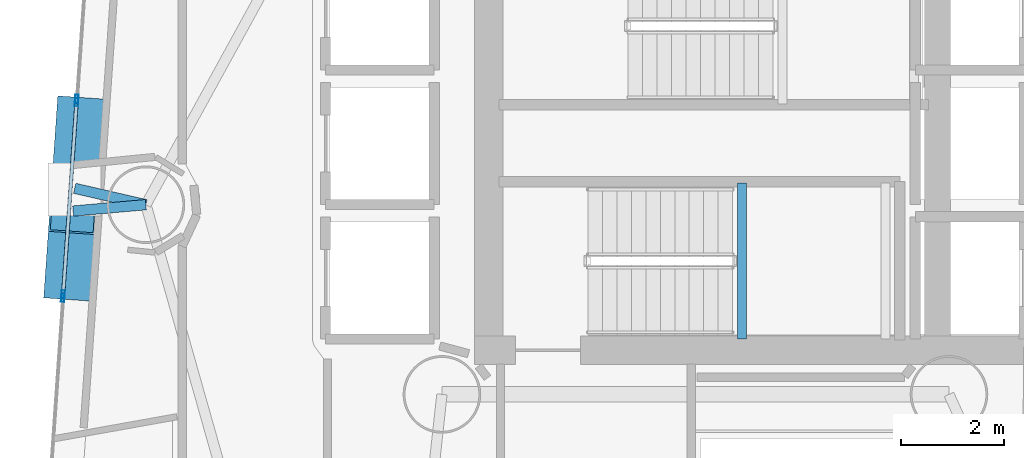
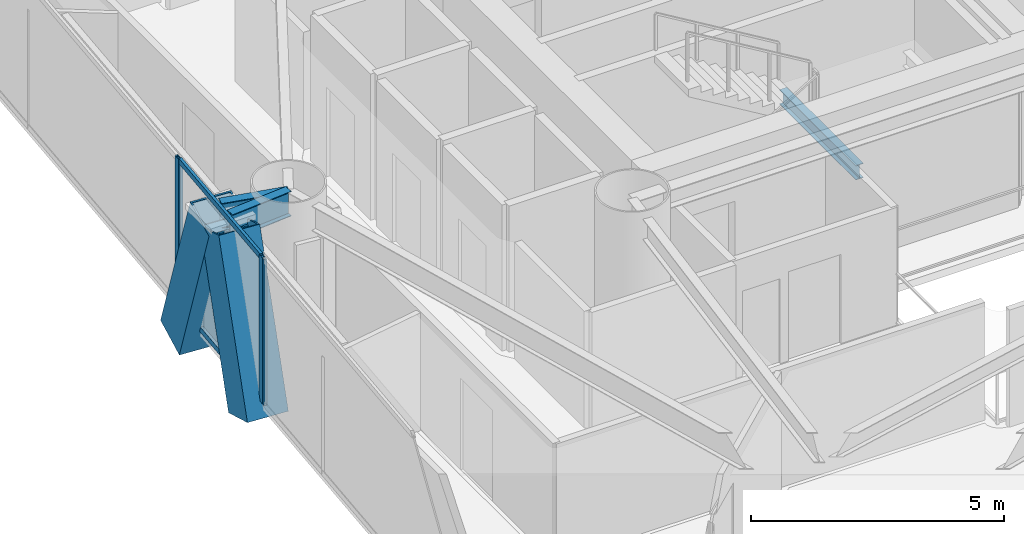
# One storey, part 7 of 21: 8 members, 3 beams, 3 elements without a shape of their own.
"""IFC4 building model written with IfcOpenShell, lengths in metres."""

from ifc_helpers import new_model, si_unit, direction, frame, origin, origin_2d, place, context, subcontext, project, spatial, hollow_rectangle, i_section, extrude, material, layer, layer_set, material_profile, profile_set, type_object, element, aggregate, save


model = new_model("IFC4")

# Units and contexts
model_context = context("Model", 3, precision=1e-05, world=origin(), true_north=direction((0.0, 1.0)))
body_context = subcontext(model_context, "Body", "Model", "MODEL_VIEW")
ifc_project = project(units=[si_unit("LENGTHUNIT", "METRE"), si_unit("AREAUNIT", "SQUARE_METRE"), si_unit("VOLUMEUNIT", "CUBIC_METRE"), si_unit("PLANEANGLEUNIT", "RADIAN"), si_unit("MASSUNIT", "GRAM", prefix="KILO")], contexts=[model_context])

# Site, building, storey
site_placement = place(None, origin())
site = spatial("IfcSite", under=ifc_project, at=site_placement, CompositionType="ELEMENT")
building_placement = place(site_placement, origin())
building = spatial("IfcBuilding", under=site, at=building_placement, Name="Qianvela Tower", CompositionType="ELEMENT")
storey_placement = place(building_placement, frame((0.0, 0.0, 127.39990234375)))
storey = spatial("IfcBuildingStorey", under=building, at=storey_placement, Name="L32", CompositionType="ELEMENT", Elevation=127.39990234375)

# Beams
ifc_material_1 = material(Name="Steel Q355B", Category="steel")
ifc_material_profile_1 = material_profile(ifc_material_1, i_section(OverallWidth=0.175048828125, OverallDepth=0.35009765625, WebThickness=0.007080078125, FlangeThickness=0.010986328125, at=origin_2d()), Name="HN350x175x7x11")
ifc_profile_set_1 = profile_set([ifc_material_profile_1], Name="Steel Q355B")
beam_type_1 = type_object("IfcBeamType", Name="BM-HN350-JOIST", PredefinedType="JOIST", material=ifc_profile_set_1)
beam_placement = place(storey_placement, frame((34.39990234375, 24.919921875, 1.47509765625), z_axis=(0.0, 1.0, 0.0), x_axis=(-1.0, 0.0, 0.0)))
element("IfcBeam", 1, at=beam_placement, inside=storey, type_object=beam_type_1, Name="L32 Stair ST-2 Landing Support Beam 1.1", PredefinedType="JOIST", context=body_context, shape_type="SweptSolid", body=[
    extrude(i_section(OverallWidth=0.175048828125, OverallDepth=0.35009765625, WebThickness=0.007080078125, FlangeThickness=0.010986328125, at=origin_2d()), origin(), (0.0, 0.0, 1.0), 3.02001953125),
])
ifc_material_2 = material(Name="Steel Q355B", Category="steel")
ifc_material_profile_2 = material_profile(ifc_material_2, i_section(OverallWidth=0.199951171875, OverallDepth=0.60009765625, WebThickness=0.010986328125, FlangeThickness=0.01708984375, at=origin_2d()), Name="HN600x200x11x17")
ifc_profile_set_2 = profile_set([ifc_material_profile_2], Name="Steel Q355B")
beam_type_2 = type_object("IfcBeamType", Name="BM-HN600-GIRD", PredefinedType="BEAM", material=ifc_profile_set_2)
for number, where, z_axis, x_axis, name in (
    (2, (22.8779296875, 27.51611328125, 3.218017578125), (-0.974536678385, 0.224228148282, 0.0), (-0.224228148282, -0.974536678385, 0.0), "L32 Mega-Brace Column Tie Bracket F2-1"),
    (3, (22.8779296875, 27.51611328125, 3.218017578125), (-0.996241236943, -0.086622155451, 0.0), (0.086622155451, -0.996241236943, 0.0), "L32 Mega-Brace Column Tie Bracket F2-2"),
):
    element("IfcBeam", number, at=place(storey_placement, frame(where, z_axis=z_axis, x_axis=x_axis)), inside=storey, type_object=beam_type_2, Name=name, PredefinedType="BEAM", context=body_context, shape_type="SweptSolid", body=[
        extrude(i_section(OverallWidth=0.199951171875, OverallDepth=0.60009765625, WebThickness=0.010986328125, FlangeThickness=0.01708984375, at=origin_2d()), origin(), (0.0, 0.0, 1.0), 1.412109375),
    ])

# Curtain wall, members
ifc_material_3 = material(Name="Anodised Architectural Aluminium and Insulated Spandrel Panel", Category="aluminium")
ifc_layer_1 = layer(ifc_material_3, 0.179931640625)
ifc_layer_set_1 = layer_set([ifc_layer_1], Name="Anodised Architectural Aluminium and Insulated Spandrel Panel")
curtain_wall_type_1 = type_object("IfcCurtainWallType", Name="CW-BRACEBAY", PredefinedType="USERDEFINED", material=ifc_layer_set_1)
curtain_wall_1_placement = place(storey_placement, origin())
curtain_wall_1 = element("IfcCurtainWall", 4, at=curtain_wall_1_placement, inside=storey, type_object=curtain_wall_type_1, Name="L32 CW-BRACEBAY Curtain Wall 04B", ObjectType="CURTAIN_WALL_SYSTEM", PredefinedType="USERDEFINED")
ifc_material_4 = material(Name="Anodised Architectural Aluminium 6063-T6", Category="aluminium")
ifc_material_profile_3 = material_profile(ifc_material_4, hollow_rectangle(XDim=0.06494140625, YDim=0.159912109375, WallThickness=0.0048828125, at=origin_2d()), Name="ALU-MULL-65x160")
ifc_profile_set_3 = profile_set([ifc_material_profile_3], Name="Anodised Architectural Aluminium 6063-T6")
member_type_1 = type_object("IfcMemberType", Name="CW-BRACEBAY-MULL", PredefinedType="MULLION", material=ifc_profile_set_3)
member_1_placement = place(storey_placement, frame((21.5380859375, 29.497802734375, 0.0), z_axis=(0.0, 0.0, 1.0), x_axis=(0.997563670013, -0.06976191132, 0.0)))
member_1 = element("IfcMember", 5, at=member_1_placement, type_object=member_type_1, Name="CW-9 mullion 1", PredefinedType="MULLION", context=body_context, shape_type="SweptSolid", body=[
    extrude(hollow_rectangle(XDim=0.06494140625, YDim=0.159912109375, WallThickness=0.0048828125, at=origin_2d()), origin(), (0.0, 0.0, 1.0), 3.52001953125),
])
member_2_placement = place(storey_placement, frame((21.278076171875, 25.781982421875, 0.0), z_axis=(0.0, 0.0, 1.0), x_axis=(0.997563670013, -0.06976191132, 0.0)))
member_2 = element("IfcMember", 6, at=member_2_placement, type_object=member_type_1, Name="CW-9 mullion 2", PredefinedType="MULLION", context=body_context, shape_type="SweptSolid", body=[
    extrude(hollow_rectangle(XDim=0.06494140625, YDim=0.159912109375, WallThickness=0.0048828125, at=origin_2d()), origin(), (0.0, 0.0, 1.0), 3.52001953125),
])
ifc_material_5 = material(Name="Anodised Architectural Aluminium 6063-T6", Category="aluminium")
ifc_material_profile_4 = material_profile(ifc_material_5, hollow_rectangle(XDim=0.06494140625, YDim=0.1298828125, WallThickness=0.00439453125, at=origin_2d()), Name="ALU-TRAN-65x130")
ifc_profile_set_4 = profile_set([ifc_material_profile_4], Name="Anodised Architectural Aluminium 6063-T6")
member_type_2 = type_object("IfcMemberType", Name="CW-BRACEBAY-TRAN", PredefinedType="USERDEFINED", material=ifc_profile_set_4)
member_3_placement = place(storey_placement, frame((21.53564453125, 29.465576171875, 0.03271484375), z_axis=(-0.069706325357, -0.99756755571, 0.0), x_axis=(0.99756755571, -0.069706325357, 0.0)))
member_3 = element("IfcMember", 7, at=member_3_placement, type_object=member_type_2, Name="CW-9 transom 1.1", ObjectType="TRANSOM", PredefinedType="USERDEFINED", context=body_context, shape_type="SweptSolid", body=[
    extrude(hollow_rectangle(XDim=0.06494140625, YDim=0.1298828125, WallThickness=0.00439453125, at=origin_2d()), origin(), (0.0, 0.0, 1.0), 3.659912109375),
])
member_4_placement = place(storey_placement, frame((21.53564453125, 29.465576171875, 3.487548828125), z_axis=(-0.069706325357, -0.99756755571, 0.0), x_axis=(0.99756755571, -0.069706325357, 0.0)))
member_4 = element("IfcMember", 8, at=member_4_placement, type_object=member_type_2, Name="CW-9 transom 1.2", ObjectType="TRANSOM", PredefinedType="USERDEFINED", context=body_context, shape_type="SweptSolid", body=[
    extrude(hollow_rectangle(XDim=0.06494140625, YDim=0.1298828125, WallThickness=0.00439453125, at=origin_2d()), origin(), (0.0, 0.0, 1.0), 3.659912109375),
])
aggregate(curtain_wall_1, [member_1, member_2, member_3, member_4])

# Curtain wall, member
ifc_material_6 = material(Name="Anodised Architectural Aluminium and Low-E Glass", Category="aluminium")
ifc_layer_2 = layer(ifc_material_6, 0.169921875)
ifc_layer_set_2 = layer_set([ifc_layer_2], Name="Anodised Architectural Aluminium and Low-E Glass")
curtain_wall_type_2 = type_object("IfcCurtainWallType", Name="CW-COLIV-Z34", PredefinedType="USERDEFINED", material=ifc_layer_set_2)
curtain_wall_2_placement = place(storey_placement, origin())
curtain_wall_2 = element("IfcCurtainWall", 9, at=curtain_wall_2_placement, inside=storey, type_object=curtain_wall_type_2, Name="L32 CW-COLIV-Z34 Curtain Wall 04A", ObjectType="CURTAIN_WALL_SYSTEM", PredefinedType="USERDEFINED")
ifc_material_7 = material(Name="Anodised Architectural Aluminium 6063-T6", Category="aluminium")
ifc_material_profile_5 = material_profile(ifc_material_7, hollow_rectangle(XDim=0.06494140625, YDim=0.159912109375, WallThickness=0.0048828125, at=origin_2d()), Name="ALU-MULL-65x160")
ifc_profile_set_5 = profile_set([ifc_material_profile_5], Name="Anodised Architectural Aluminium 6063-T6")
member_type_3 = type_object("IfcMemberType", Name="CW-COLIV-Z34-MULL", PredefinedType="MULLION", material=ifc_profile_set_5)
member_5_placement = place(storey_placement, frame((21.54248046875, 29.562744140625, 0.0), z_axis=(0.0, 0.0, 1.0), x_axis=(0.997564346906, -0.069752231381, 0.0)))
member_5 = element("IfcMember", 10, at=member_5_placement, type_object=member_type_3, Name="CW-4 mullion 2", PredefinedType="MULLION", context=body_context, shape_type="SweptSolid", body=[
    extrude(hollow_rectangle(XDim=0.06494140625, YDim=0.159912109375, WallThickness=0.0048828125, at=origin_2d()), origin(), (0.0, 0.0, 1.0), 3.52001953125),
])
aggregate(curtain_wall_2, [member_5])

curtain_wall_3_placement = place(storey_placement, origin())
curtain_wall_3 = element("IfcCurtainWall", 11, at=curtain_wall_3_placement, inside=storey, type_object=curtain_wall_type_2, Name="L32 CW-COLIV-Z34 Curtain Wall 04C", ObjectType="CURTAIN_WALL_SYSTEM", PredefinedType="USERDEFINED")
member_6_placement = place(storey_placement, frame((21.273681640625, 25.717041015625, 0.0), z_axis=(0.0, 0.0, 1.0), x_axis=(0.997564487646, -0.069750218555, 0.0)))
member_6 = element("IfcMember", 12, at=member_6_placement, type_object=member_type_3, Name="CW-4 mullion 1", PredefinedType="MULLION", context=body_context, shape_type="SweptSolid", body=[
    extrude(hollow_rectangle(XDim=0.06494140625, YDim=0.159912109375, WallThickness=0.0048828125, at=origin_2d()), origin(), (0.0, 0.0, 1.0), 3.52001953125),
])
aggregate(curtain_wall_3, [member_6])

# Members
ifc_material_8 = material(Name="Steel Q420GJC", Category="steel")
ifc_material_profile_6 = material_profile(ifc_material_8, hollow_rectangle(XDim=0.89990234375, YDim=0.89990234375, WallThickness=0.035888671875, at=origin_2d()), Name="MBOX-900x900x36")
ifc_profile_set_6 = profile_set([ifc_material_profile_6], Name="Steel Q420GJC")
member_type_4 = type_object("IfcMemberType", Name="MBR-MBRACE-900", PredefinedType="BRACE", material=ifc_profile_set_6)
member_7_placement = place(storey_placement, frame((21.594970703125, 29.166015625, -0.48193359375), z_axis=(-0.023706939803, -0.338909943097, 0.940520085631), x_axis=(0.997562401568, -0.069780047134, 0.0)))
element("IfcMember", 13, at=member_7_placement, inside=storey, type_object=member_type_4, Name="L32 Tier 5 Exterior Mega-Brace F2A", PredefinedType="BRACE", context=body_context, shape_type="SweptSolid", body=[
    extrude(hollow_rectangle(XDim=0.89990234375, YDim=0.89990234375, WallThickness=0.035888671875, at=origin_2d()), origin(), (0.0, 0.0, 1.0), 3.933837890625),
])
member_8_placement = place(storey_placement, frame((21.381103515625, 26.10888671875, -0.48193359375), z_axis=(0.022994811862, 0.32797207271, 0.944407516991), x_axis=(-0.997551171086, 0.069940410817, 0.0)))
element("IfcMember", 14, at=member_8_placement, inside=storey, type_object=member_type_4, Name="L32 Tier 5 Exterior Mega-Brace F2B", PredefinedType="BRACE", context=body_context, shape_type="SweptSolid", body=[
    extrude(hollow_rectangle(XDim=0.89990234375, YDim=0.89990234375, WallThickness=0.035888671875, at=origin_2d()), origin(), (0.0, 0.0, 1.0), 3.917724609375),
])

save(model, "model.ifc")
